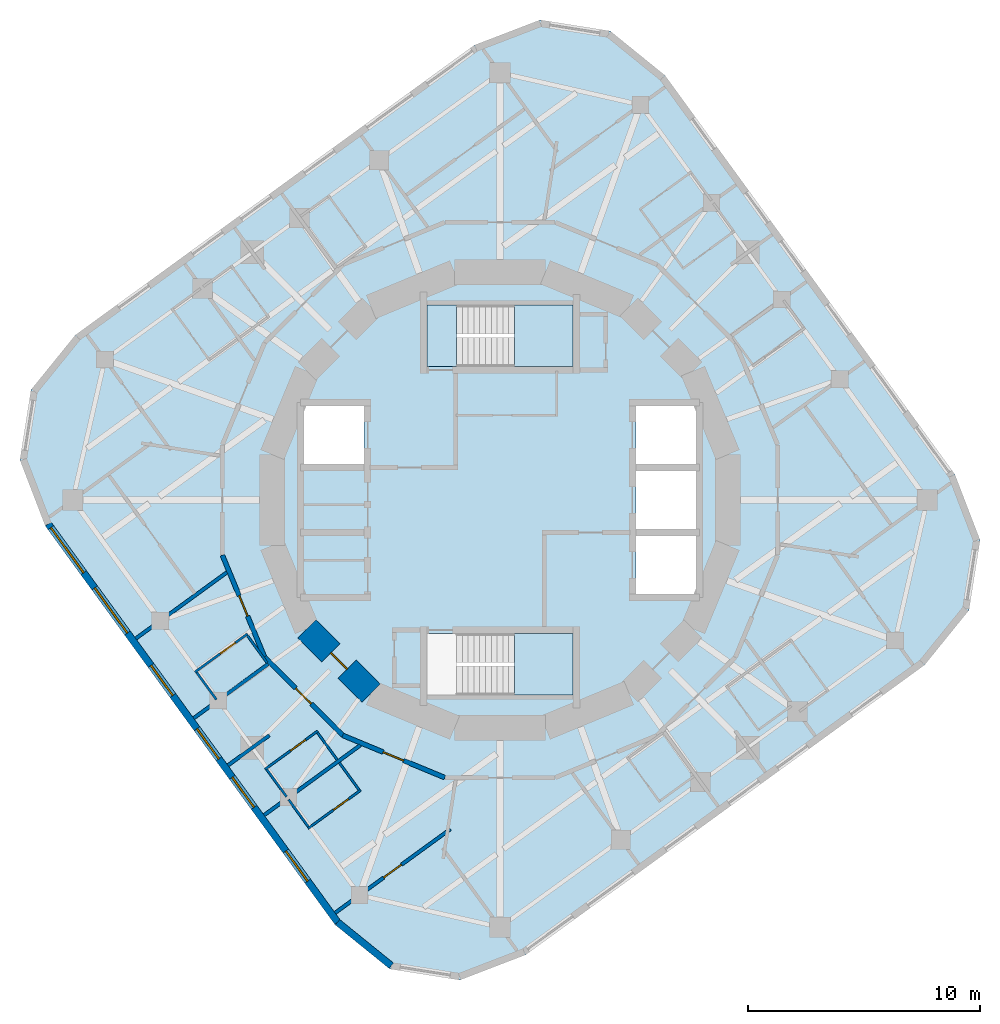
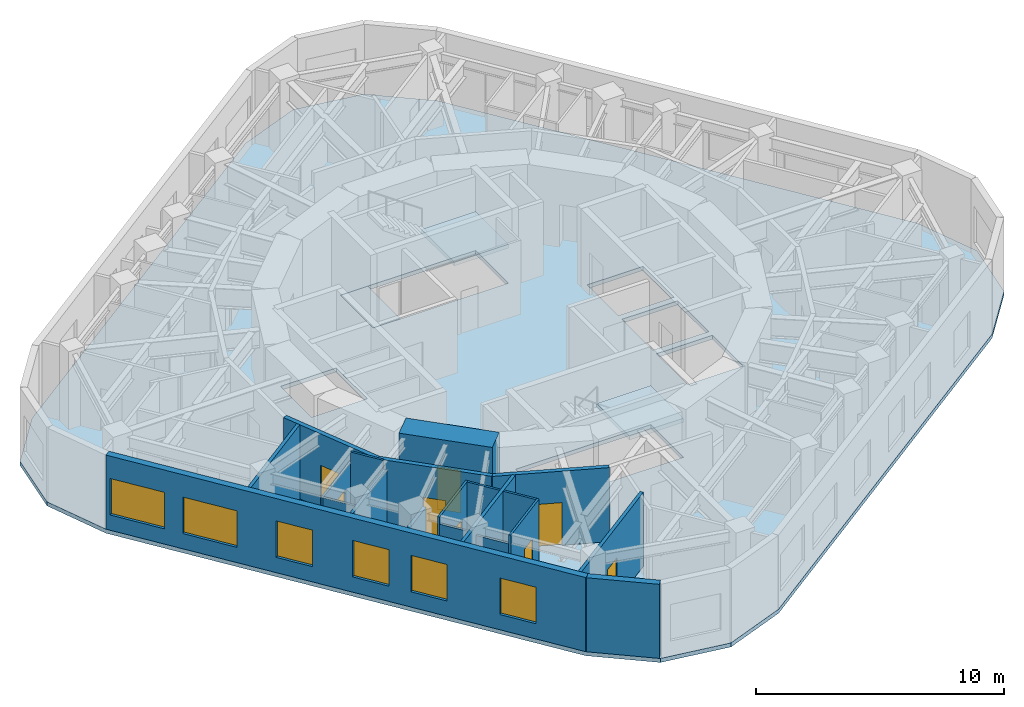
# One storey, part 3 of 9: 20 walls, 8 doors, 6 windows, 4 slabs, 14 openings, 2 elements without a shape of their own.
"""IFC4 building model written with IfcOpenShell, lengths in metres."""

from ifc_helpers import new_model, si_unit, direction, frame, frame_2d, origin, place, context, subcontext, project, spatial, polyline, rectangle, outline, extrude, material, layer, layer_set, type_object, element, fill, aggregate, save


model = new_model("IFC4")

# Units and contexts
model_context = context("Model", 3, precision=1e-05, world=origin(), true_north=direction((0.0, 1.0)))
body_context = subcontext(model_context, "Body", "Model", "MODEL_VIEW")
ifc_project = project(units=[si_unit("LENGTHUNIT", "METRE"), si_unit("AREAUNIT", "SQUARE_METRE"), si_unit("VOLUMEUNIT", "CUBIC_METRE"), si_unit("PLANEANGLEUNIT", "RADIAN"), si_unit("MASSUNIT", "GRAM", prefix="KILO")], contexts=[model_context])

# Site, building, storey
site_placement = place(None, origin())
site = spatial("IfcSite", under=ifc_project, at=site_placement, CompositionType="ELEMENT")
building_placement = place(site_placement, origin())
building = spatial("IfcBuilding", under=site, at=building_placement, Name="Nakasero Lantern House", CompositionType="ELEMENT")
storey_placement = place(building_placement, frame((0.0, 0.0, 294.550048828125)))
storey = spatial("IfcBuildingStorey", under=building, at=storey_placement, Name="L72", CompositionType="ELEMENT", Elevation=294.550048828125)

# Slab
ifc_material_1 = material(Name="Concrete C35/45", Category="concrete")
ifc_layer_1 = layer(ifc_material_1, 0.199951171875)
ifc_layer_set_1 = layer_set([ifc_layer_1], Name="Composite floor slab 200")
slab_type_1 = type_object("IfcSlabType", Name="Composite floor slab 200", PredefinedType="FLOOR", material=ifc_layer_set_1)
slab_1_placement = place(storey_placement, frame((0.0, 0.0, -0.199951171875)))
element("IfcSlab", 1, at=slab_1_placement, inside=storey, type_object=slab_type_1, Name="Floor slab L72", PredefinedType="FLOOR", context=body_context, shape_type="SweptSolid", body=[
    extrude(outline(polyline([(7.1181640625, 18.27392578125), (4.744873046875, 20.196044921875), (1.728271484375, 20.673828125), (-1.122802734375, 19.579345703125), (-18.27392578125, 7.1181640625), (-20.196044921875, 4.744873046875), (-20.673828125, 1.728271484375), (-19.579345703125, -1.122802734375), (-7.1181640625, -18.27392578125), (-4.744873046875, -20.196044921875), (-1.728271484375, -20.673828125), (1.122802734375, -19.579345703125), (18.27392578125, -7.1181640625), (20.196044921875, -4.744873046875), (20.673828125, -1.728271484375), (19.579345703125, 1.122802734375), (7.1181640625, 18.27392578125)]), holes=[polyline([(-8.449951171875, 1.550048828125), (-5.85009765625, 1.550048828125), (-5.85009765625, 4.050048828125), (-8.449951171875, 4.050048828125), (-8.449951171875, 1.550048828125)]), polyline([(5.85009765625, -4.050048828125), (8.449951171875, -4.050048828125), (8.449951171875, -1.550048828125), (5.85009765625, -1.550048828125), (5.85009765625, -4.050048828125)]), polyline([(5.85009765625, -1.25), (8.449951171875, -1.25), (8.449951171875, 1.25), (5.85009765625, 1.25), (5.85009765625, -1.25)]), polyline([(5.85009765625, 1.550048828125), (8.449951171875, 1.550048828125), (8.449951171875, 4.050048828125), (5.85009765625, 4.050048828125), (5.85009765625, 1.550048828125)]), polyline([(-3.14990234375, 5.75), (3.14990234375, 5.75), (3.14990234375, 8.39990234375), (-3.14990234375, 8.39990234375), (-3.14990234375, 5.75)]), polyline([(-3.14990234375, -8.39990234375), (3.14990234375, -8.39990234375), (3.14990234375, -5.75), (-3.14990234375, -5.75), (-3.14990234375, -8.39990234375)])]), origin(), (0.0, 0.0, 1.0), 0.199951171875),
])

# Stair, slabs
ifc_material_2 = material(Name="Concrete C40/50", Category="concrete")
stair_type_1 = type_object("IfcStairType", Name="Escape stair ST1 22 risers", PredefinedType="HALF_TURN_STAIR", material=ifc_material_2)
stair_1_placement = place(storey_placement, origin())
stair_1 = element("IfcStair", 2, at=stair_1_placement, inside=storey, type_object=stair_type_1, Name="Escape stair ST1 L72", PredefinedType="HALF_TURN_STAIR")
ifc_material_3 = material(Name="Concrete C40/50", Category="concrete")
ifc_layer_2 = layer(ifc_material_3, 0.199951171875)
ifc_layer_set_2 = layer_set([ifc_layer_2], Name="Stair landing 200")
slab_type_2 = type_object("IfcSlabType", Name="Stair landing 200", PredefinedType="LANDING", material=ifc_layer_set_2)
slab_2_placement = place(storey_placement, frame((0.0, 0.0, -0.199951171875)))
slab_2 = element("IfcSlab", 3, at=slab_2_placement, type_object=slab_type_2, Name="ST1 landing 1", PredefinedType="LANDING", context=body_context, shape_type="SweptSolid", body=[
    extrude(outline(polyline([(-3.14990234375, 5.75), (-1.875, 5.75), (-1.875, 8.39990234375), (-3.14990234375, 8.39990234375), (-3.14990234375, 5.75)])), origin(), (0.0, 0.0, 1.0), 0.199951171875),
])
slab_3_placement = place(storey_placement, frame((0.0, 0.0, 1.724853515625)))
slab_3 = element("IfcSlab", 4, at=slab_3_placement, type_object=slab_type_2, Name="ST1 landing 2", PredefinedType="LANDING", context=body_context, shape_type="SweptSolid", body=[
    extrude(outline(polyline([(0.625, 5.75), (3.14990234375, 5.75), (3.14990234375, 8.39990234375), (0.625, 8.39990234375), (0.625, 5.75)])), origin(), (0.0, 0.0, 1.0), 0.2001953125),
])
aggregate(stair_1, [slab_2, slab_3])

# Stair, slab
ifc_material_4 = material(Name="Concrete C40/50", Category="concrete")
stair_type_2 = type_object("IfcStairType", Name="Escape stair ST2 22 risers", PredefinedType="HALF_TURN_STAIR", material=ifc_material_4)
stair_2_placement = place(storey_placement, origin())
stair_2 = element("IfcStair", 5, at=stair_2_placement, inside=storey, type_object=stair_type_2, Name="Escape stair ST2 L72", PredefinedType="HALF_TURN_STAIR")
slab_4_placement = place(storey_placement, frame((0.0, 0.0, 1.724853515625)))
slab_4 = element("IfcSlab", 6, at=slab_4_placement, type_object=slab_type_2, Name="ST2 landing 2", PredefinedType="LANDING", context=body_context, shape_type="SweptSolid", body=[
    extrude(outline(polyline([(0.625, -8.39990234375), (3.14990234375, -8.39990234375), (3.14990234375, -5.75), (0.625, -5.75), (0.625, -8.39990234375)])), origin(), (0.0, 0.0, 1.0), 0.2001953125),
])
aggregate(stair_2, [slab_4])

# Wall, opening, door
ifc_material_5 = material(Name="Concrete C50/60", Category="concrete")
ifc_layer_3 = layer(ifc_material_5, 1.10009765625)
ifc_layer_set_3 = layer_set([ifc_layer_3], Name="Core wall 1100")
wall_type_1 = type_object("IfcWallType", Name="Core wall 1100", PredefinedType="SHEAR", material=ifc_layer_set_3)
wall_1_placement = place(storey_placement, frame((-8.314697265625, -5.5556640625, 0.0), z_axis=(0.0, 0.0, 1.0), x_axis=(0.707106781187, -0.707106781187, 0.0)))
wall_1 = element("IfcWall", 7, at=wall_1_placement, inside=storey, type_object=wall_type_1, Name="Core wall L72 facet 10", PredefinedType="SHEAR", context=body_context, shape_type="SweptSolid", body=[
    extrude(rectangle(XDim=3.90185546875, YDim=1.10009765625, at=frame_2d((1.950927734375, 0.0))), origin(), (0.0, 0.0, 1.0), 3.849853515625),
])
opening_1_placement = place(wall_1_placement, frame((1.450927734375, 0.0, 0.0)))
opening_1 = element("IfcOpeningElement", 8, at=opening_1_placement, cuts=wall_1, Name="Opening D05", PredefinedType="OPENING", context=body_context, shape_type="SweptSolid", body=[
    extrude(rectangle(XDim=1.0, YDim=2.10009765625, at=frame_2d((0.5, 1.050048828125))), frame((0.0, 0.570068359375, 0.0), z_axis=(0.0, -1.0, 0.0), x_axis=(1.0, 0.0, 0.0)), (0.0, 0.0, 1.0), 1.14013671875),
])
ifc_material_6 = material(Name="Timber C24", Category="wood")
door_type_1 = type_object("IfcDoorType", Name="Core door FD60S 1000", OperationType="SINGLE_SWING_LEFT", PredefinedType="DOOR", material=ifc_material_6)
door_1_placement = place(opening_1_placement, origin())
door_1 = element("IfcDoor", 9, at=door_1_placement, inside=storey, type_object=door_type_1, Name="Door L72 D-CORE10", OperationType="SINGLE_SWING_LEFT", OverallHeight=2.10009765625, OverallWidth=1.0, PredefinedType="DOOR", context=body_context, shape_type="SweptSolid", body=[
    extrude(rectangle(XDim=1.0, YDim=2.10009765625, at=frame_2d((0.5, 1.050048828125))), frame((0.0, 0.02490234375, 0.0), z_axis=(0.0, -1.0, 0.0), x_axis=(1.0, 0.0, 0.0)), (0.0, 0.0, 1.0), 0.050048828125),
])
fill(opening_1, door_1)

ifc_material_7 = material(Name="Blockwork", Category="masonry")
ifc_layer_4 = layer(ifc_material_7, 0.199951171875)
ifc_layer_set_4 = layer_set([ifc_layer_4], Name="Corridor wall 200")
wall_type_2 = type_object("IfcWallType", Name="Corridor wall 200", PredefinedType="PARTITIONING", material=ifc_layer_set_4)
wall_2_placement = place(storey_placement, frame((-2.378662109375, -11.957763671875, 0.0), z_axis=(0.0, 0.0, 1.0), x_axis=(-0.923891735412, 0.382653970627, 0.0)))
wall_2 = element("IfcWall", 10, at=wall_2_placement, inside=storey, type_object=wall_type_2, Name="Corridor wall L72 RC05a", PredefinedType="PARTITIONING", context=body_context, shape_type="SweptSolid", body=[
    extrude(rectangle(XDim=4.757080078125, YDim=0.199951171875, at=frame_2d((2.37841796875, 0.0))), origin(), (0.0, 0.0, 1.0), 3.64990234375),
])
opening_2_placement = place(wall_2_placement, frame((1.919921875, 0.0, 0.0)))
opening_2 = element("IfcOpeningElement", 11, at=opening_2_placement, cuts=wall_2, Name="Opening D01", PredefinedType="OPENING", context=body_context, shape_type="SweptSolid", body=[
    extrude(rectangle(XDim=0.949951171875, YDim=2.10009765625, at=frame_2d((0.47509765625, 1.050048828125))), frame((0.0, 0.119873046875, 0.0), z_axis=(0.0, -1.0, 0.0), x_axis=(1.0, 0.0, 0.0)), (0.0, 0.0, 1.0), 0.239990234375),
])
ifc_material_8 = material(Name="Timber C24", Category="wood")
door_type_2 = type_object("IfcDoorType", Name="Bedroom door FD30S 950", OperationType="SINGLE_SWING_LEFT", PredefinedType="DOOR", material=ifc_material_8)
door_2_placement = place(opening_2_placement, origin())
door_2 = element("IfcDoor", 12, at=door_2_placement, inside=storey, type_object=door_type_2, Name="Door L72 D2-06", OperationType="SINGLE_SWING_RIGHT", OverallHeight=2.10009765625, OverallWidth=0.949951171875, PredefinedType="DOOR", context=body_context, shape_type="SweptSolid", body=[
    extrude(rectangle(XDim=0.949951171875, YDim=2.10009765625, at=frame_2d((0.47509765625, 1.050048828125))), frame((0.0, 0.02490234375, 0.0), z_axis=(0.0, -1.0, 0.0), x_axis=(1.0, 0.0, 0.0)), (0.0, 0.0, 1.0), 0.050048828125),
])
fill(opening_2, door_2)

wall_3_placement = place(storey_placement, frame((-6.773681640625, -10.137451171875, 0.0), z_axis=(0.0, 0.0, 1.0), x_axis=(-0.707106781187, 0.707106781187, 0.0)))
wall_3 = element("IfcWall", 13, at=wall_3_placement, inside=storey, type_object=wall_type_2, Name="Corridor wall L72 RC06a", PredefinedType="PARTITIONING", context=body_context, shape_type="SweptSolid", body=[
    extrude(rectangle(XDim=4.757080078125, YDim=0.199951171875, at=frame_2d((2.37841796875, 0.0))), origin(), (0.0, 0.0, 1.0), 3.64990234375),
])
opening_3_placement = place(wall_3_placement, frame((1.919921875, 0.0, 0.0)))
opening_3 = element("IfcOpeningElement", 14, at=opening_3_placement, cuts=wall_3, Name="Opening D01", PredefinedType="OPENING", context=body_context, shape_type="SweptSolid", body=[
    extrude(rectangle(XDim=0.949951171875, YDim=2.10009765625, at=frame_2d((0.47509765625, 1.050048828125))), frame((0.0, 0.119873046875, 0.0), z_axis=(0.0, -1.0, 0.0), x_axis=(1.0, 0.0, 0.0)), (0.0, 0.0, 1.0), 0.239990234375),
])
door_3_placement = place(opening_3_placement, origin())
door_3 = element("IfcDoor", 15, at=door_3_placement, inside=storey, type_object=door_type_2, Name="Door L72 D2-04", OperationType="SINGLE_SWING_RIGHT", OverallHeight=2.10009765625, OverallWidth=0.949951171875, PredefinedType="DOOR", context=body_context, shape_type="SweptSolid", body=[
    extrude(rectangle(XDim=0.949951171875, YDim=2.10009765625, at=frame_2d((0.47509765625, 1.050048828125))), frame((0.0, 0.02490234375, 0.0), z_axis=(0.0, -1.0, 0.0), x_axis=(1.0, 0.0, 0.0)), (0.0, 0.0, 1.0), 0.050048828125),
])
fill(opening_3, door_3)

wall_4_placement = place(storey_placement, frame((-10.137451171875, -6.773681640625, 0.0), z_axis=(0.0, 0.0, 1.0), x_axis=(-0.382653970627, 0.923891735412, 0.0)))
wall_4 = element("IfcWall", 16, at=wall_4_placement, inside=storey, type_object=wall_type_2, Name="Corridor wall L72 RC07a", PredefinedType="PARTITIONING", context=body_context, shape_type="SweptSolid", body=[
    extrude(rectangle(XDim=4.757080078125, YDim=0.199951171875, at=frame_2d((2.37841796875, 0.0))), origin(), (0.0, 0.0, 1.0), 3.64990234375),
])
opening_4_placement = place(wall_4_placement, frame((1.919921875, 0.0, 0.0)))
opening_4 = element("IfcOpeningElement", 17, at=opening_4_placement, cuts=wall_4, Name="Opening D01", PredefinedType="OPENING", context=body_context, shape_type="SweptSolid", body=[
    extrude(rectangle(XDim=0.949951171875, YDim=2.10009765625, at=frame_2d((0.47509765625, 1.050048828125))), frame((0.0, 0.119873046875, 0.0), z_axis=(0.0, -1.0, 0.0), x_axis=(1.0, 0.0, 0.0)), (0.0, 0.0, 1.0), 0.239990234375),
])
door_4_placement = place(opening_4_placement, origin())
door_4 = element("IfcDoor", 18, at=door_4_placement, inside=storey, type_object=door_type_2, Name="Door L72 D2-03", OperationType="SINGLE_SWING_RIGHT", OverallHeight=2.10009765625, OverallWidth=0.949951171875, PredefinedType="DOOR", context=body_context, shape_type="SweptSolid", body=[
    extrude(rectangle(XDim=0.949951171875, YDim=2.10009765625, at=frame_2d((0.47509765625, 1.050048828125))), frame((0.0, 0.02490234375, 0.0), z_axis=(0.0, -1.0, 0.0), x_axis=(1.0, 0.0, 0.0)), (0.0, 0.0, 1.0), 0.050048828125),
])
fill(opening_4, door_4)

ifc_material_9 = material(Name="Blockwork", Category="masonry")
ifc_layer_5 = layer(ifc_material_9, 0.10009765625)
ifc_layer_set_5 = layer_set([ifc_layer_5], Name="En-suite wall 100")
wall_type_3 = type_object("IfcWallType", Name="En-suite wall 100", PredefinedType="PARTITIONING", material=ifc_layer_set_5)
wall_5_placement = place(storey_placement, frame((-10.872314453125, -5.76513671875, 0.0), z_axis=(0.0, 0.0, 1.0), x_axis=(-0.809041377956, -0.587751689708, 0.0)))
wall_5 = element("IfcWall", 19, at=wall_5_placement, inside=storey, type_object=wall_type_3, Name="En-suite wall L72 ES2-03", PredefinedType="PARTITIONING", context=body_context, shape_type="SweptSolid", body=[
    extrude(rectangle(XDim=2.800048828125, YDim=0.10009765625, at=frame_2d((1.39990234375, 0.0))), origin(), (0.0, 0.0, 1.0), 3.11328125),
])
opening_5_placement = place(wall_5_placement, frame((0.64990234375, 0.0, 0.0)))
opening_5 = element("IfcOpeningElement", 20, at=opening_5_placement, cuts=wall_5, Name="Opening D02", PredefinedType="OPENING", context=body_context, shape_type="SweptSolid", body=[
    extrude(rectangle(XDim=0.800048828125, YDim=2.10009765625, at=frame_2d((0.39990234375, 1.050048828125))), frame((0.0, 0.070068359375, 0.0), z_axis=(0.0, -1.0, 0.0), x_axis=(1.0, 0.0, 0.0)), (0.0, 0.0, 1.0), 0.14013671875),
])
ifc_material_10 = material(Name="Timber C24", Category="wood")
door_type_3 = type_object("IfcDoorType", Name="En-suite door 800", OperationType="SINGLE_SWING_RIGHT", PredefinedType="DOOR", material=ifc_material_10)
door_5_placement = place(opening_5_placement, origin())
door_5 = element("IfcDoor", 21, at=door_5_placement, inside=storey, type_object=door_type_3, Name="Door L72 DE2-03", OperationType="SINGLE_SWING_LEFT", OverallHeight=2.10009765625, OverallWidth=0.800048828125, PredefinedType="DOOR", context=body_context, shape_type="SweptSolid", body=[
    extrude(rectangle(XDim=0.800048828125, YDim=2.10009765625, at=frame_2d((0.39990234375, 1.050048828125))), frame((0.0, 0.02490234375, 0.0), z_axis=(0.0, -1.0, 0.0), x_axis=(1.0, 0.0, 0.0)), (0.0, 0.0, 1.0), 0.050048828125),
])
fill(opening_5, door_5)

# Walls
wall_6_placement = place(storey_placement, frame((-13.06787109375, -7.421875, 0.0), z_axis=(0.0, 0.0, 1.0), x_axis=(0.587781191743, -0.809019944521, 0.0)))
element("IfcWall", 22, at=wall_6_placement, inside=storey, type_object=wall_type_3, Name="En-suite wall L72 EE2-03", PredefinedType="PARTITIONING", context=body_context, shape_type="SweptSolid", body=[
    extrude(rectangle(XDim=1.449951171875, YDim=0.10009765625, at=frame_2d((0.72509765625, 0.0))), origin(), (0.0, 0.0, 1.0), 3.11328125),
])
wall_7_placement = place(storey_placement, frame((-10.883544921875, -5.8349609375, 0.0), z_axis=(0.0, 0.0, 1.0), x_axis=(0.587781191743, -0.809019944521, 0.0)))
element("IfcWall", 23, at=wall_7_placement, inside=storey, type_object=wall_type_3, Name="En-suite wall L72 EI2-03", PredefinedType="PARTITIONING", context=body_context, shape_type="SweptSolid", body=[
    extrude(rectangle(XDim=1.449951171875, YDim=0.10009765625, at=frame_2d((0.72509765625, 0.0))), origin(), (0.0, 0.0, 1.0), 3.64990234375),
])

# Wall, opening, door
wall_8_placement = place(storey_placement, frame((-7.851318359375, -9.949462890625, 0.0), z_axis=(0.0, 0.0, 1.0), x_axis=(-0.809011254605, -0.587793152327, 0.0)))
wall_8 = element("IfcWall", 24, at=wall_8_placement, inside=storey, type_object=wall_type_3, Name="En-suite wall L72 ES2-04", PredefinedType="PARTITIONING", context=body_context, shape_type="SweptSolid", body=[
    extrude(rectangle(XDim=2.7998046875, YDim=0.10009765625, at=frame_2d((1.39990234375, 0.0))), origin(), (0.0, 0.0, 1.0), 3.64990234375),
])
opening_6_placement = place(wall_8_placement, frame((0.64990234375, 0.0, 0.0)))
opening_6 = element("IfcOpeningElement", 25, at=opening_6_placement, cuts=wall_8, Name="Opening D02", PredefinedType="OPENING", context=body_context, shape_type="SweptSolid", body=[
    extrude(rectangle(XDim=0.800048828125, YDim=2.10009765625, at=frame_2d((0.39990234375, 1.050048828125))), frame((0.0, 0.070068359375, 0.0), z_axis=(0.0, -1.0, 0.0), x_axis=(1.0, 0.0, 0.0)), (0.0, 0.0, 1.0), 0.14013671875),
])
door_6_placement = place(opening_6_placement, origin())
door_6 = element("IfcDoor", 26, at=door_6_placement, inside=storey, type_object=door_type_3, Name="Door L72 DE2-04", OperationType="SINGLE_SWING_LEFT", OverallHeight=2.10009765625, OverallWidth=0.800048828125, PredefinedType="DOOR", context=body_context, shape_type="SweptSolid", body=[
    extrude(rectangle(XDim=0.800048828125, YDim=2.10009765625, at=frame_2d((0.39990234375, 1.050048828125))), frame((0.0, 0.02490234375, 0.0), z_axis=(0.0, -1.0, 0.0), x_axis=(1.0, 0.0, 0.0)), (0.0, 0.0, 1.0), 0.050048828125),
])
fill(opening_6, door_6)

# Walls
wall_9_placement = place(storey_placement, frame((-10.046630859375, -11.6064453125, 0.0), z_axis=(0.0, 0.0, 1.0), x_axis=(0.587781191743, -0.809019944521, 0.0)))
element("IfcWall", 27, at=wall_9_placement, inside=storey, type_object=wall_type_3, Name="En-suite wall L72 EE2-04", PredefinedType="PARTITIONING", context=body_context, shape_type="SweptSolid", body=[
    extrude(rectangle(XDim=1.449951171875, YDim=0.10009765625, at=frame_2d((0.72509765625, 0.0))), origin(), (0.0, 0.0, 1.0), 3.294921875),
])
wall_10_placement = place(storey_placement, frame((-7.8623046875, -10.019287109375, 0.0), z_axis=(0.0, 0.0, 1.0), x_axis=(0.587781191743, -0.809019944521, 0.0)))
element("IfcWall", 28, at=wall_10_placement, inside=storey, type_object=wall_type_3, Name="En-suite wall L72 EI2-04", PredefinedType="PARTITIONING", context=body_context, shape_type="SweptSolid", body=[
    extrude(rectangle(XDim=1.449951171875, YDim=0.10009765625, at=frame_2d((0.72509765625, 0.0))), origin(), (0.0, 0.0, 1.0), 3.64990234375),
])

# Wall, opening, door
wall_11_placement = place(storey_placement, frame((-5.999755859375, -12.498046875, 0.0), z_axis=(0.0, 0.0, 1.0), x_axis=(-0.809011254605, -0.587793152327, 0.0)))
wall_11 = element("IfcWall", 29, at=wall_11_placement, inside=storey, type_object=wall_type_3, Name="En-suite wall L72 ES2-06", PredefinedType="PARTITIONING", context=body_context, shape_type="SweptSolid", body=[
    extrude(rectangle(XDim=2.7998046875, YDim=0.10009765625, at=frame_2d((1.39990234375, 0.0))), origin(), (0.0, 0.0, 1.0), 3.64990234375),
])
opening_7_placement = place(wall_11_placement, frame((0.64990234375, 0.0, 0.0)))
opening_7 = element("IfcOpeningElement", 30, at=opening_7_placement, cuts=wall_11, Name="Opening D02", PredefinedType="OPENING", context=body_context, shape_type="SweptSolid", body=[
    extrude(rectangle(XDim=0.800048828125, YDim=2.10009765625, at=frame_2d((0.39990234375, 1.050048828125))), frame((0.0, 0.070068359375, 0.0), z_axis=(0.0, -1.0, 0.0), x_axis=(1.0, 0.0, 0.0)), (0.0, 0.0, 1.0), 0.14013671875),
])
door_7_placement = place(opening_7_placement, origin())
door_7 = element("IfcDoor", 31, at=door_7_placement, inside=storey, type_object=door_type_3, Name="Door L72 DE2-06", OperationType="SINGLE_SWING_LEFT", OverallHeight=2.10009765625, OverallWidth=0.800048828125, PredefinedType="DOOR", context=body_context, shape_type="SweptSolid", body=[
    extrude(rectangle(XDim=0.800048828125, YDim=2.10009765625, at=frame_2d((0.39990234375, 1.050048828125))), frame((0.0, 0.02490234375, 0.0), z_axis=(0.0, -1.0, 0.0), x_axis=(1.0, 0.0, 0.0)), (0.0, 0.0, 1.0), 0.050048828125),
])
fill(opening_7, door_7)

# Walls
wall_12_placement = place(storey_placement, frame((-9.106201171875, -12.90087890625, 0.0), z_axis=(0.0, 0.0, 1.0), x_axis=(0.587781191743, -0.809019944521, 0.0)))
element("IfcWall", 32, at=wall_12_placement, inside=storey, type_object=wall_type_3, Name="En-suite wall L72 EE2-06", PredefinedType="PARTITIONING", context=body_context, shape_type="SweptSolid", body=[
    extrude(rectangle(XDim=1.449951171875, YDim=0.10009765625, at=frame_2d((0.72509765625, 0.0))), origin(), (0.0, 0.0, 1.0), 3.196533203125),
])
wall_13_placement = place(storey_placement, frame((-6.921875, -11.313720703125, 0.0), z_axis=(0.0, 0.0, 1.0), x_axis=(0.587781191743, -0.809019944521, 0.0)))
element("IfcWall", 33, at=wall_13_placement, inside=storey, type_object=wall_type_3, Name="En-suite wall L72 EI2-06", PredefinedType="PARTITIONING", context=body_context, shape_type="SweptSolid", body=[
    extrude(rectangle(XDim=1.449951171875, YDim=0.10009765625, at=frame_2d((0.72509765625, 0.0))), origin(), (0.0, 0.0, 1.0), 3.64990234375),
])

# Wall, openings, windows
ifc_material_11 = material(Name="Aluminium rainscreen on blockwork", Category="masonry")
ifc_layer_6 = layer(ifc_material_11, 0.300048828125)
ifc_layer_set_6 = layer_set([ifc_layer_6], Name="Facade wall 300")
wall_type_4 = type_object("IfcWallType", Name="Facade wall 300", PredefinedType="SOLIDWALL", material=ifc_layer_set_6)
wall_14_placement = place(storey_placement, frame((-19.4580078125, -1.03466796875, 0.0), z_axis=(0.0, 0.0, 1.0), x_axis=(0.587790233451, -0.809013375328, 0.0)))
wall_14 = element("IfcWall", 34, at=wall_14_placement, inside=storey, type_object=wall_type_4, Name="Facade wall L72 FW2S", PredefinedType="SOLIDWALL", context=body_context, shape_type="SweptSolid", body=[
    extrude(rectangle(XDim=21.199951171875, YDim=0.300048828125, at=frame_2d((10.60009765625, 0.0))), origin(), (0.0, 0.0, 1.0), 3.64990234375),
])
opening_8_placement = place(wall_14_placement, frame((7.52783203125, 0.0, 0.75)))
opening_8 = element("IfcOpeningElement", 35, at=opening_8_placement, cuts=wall_14, Name="Opening W01", PredefinedType="OPENING", context=body_context, shape_type="SweptSolid", body=[
    extrude(rectangle(XDim=1.60009765625, YDim=1.800048828125, at=frame_2d((0.800048828125, 0.89990234375))), frame((0.0, 0.169921875, 0.0), z_axis=(0.0, -1.0, 0.0), x_axis=(1.0, 0.0, 0.0)), (0.0, 0.0, 1.0), 0.340087890625),
])
opening_9_placement = place(wall_14_placement, frame((10.904052734375, 0.0, 0.75)))
opening_9 = element("IfcOpeningElement", 36, at=opening_9_placement, cuts=wall_14, Name="Opening W01", PredefinedType="OPENING", context=body_context, shape_type="SweptSolid", body=[
    extrude(rectangle(XDim=1.60009765625, YDim=1.800048828125, at=frame_2d((0.800048828125, 0.89990234375))), frame((0.0, 0.169921875, 0.0), z_axis=(0.0, -1.0, 0.0), x_axis=(1.0, 0.0, 0.0)), (0.0, 0.0, 1.0), 0.340087890625),
])
opening_10_placement = place(wall_14_placement, frame((13.484619140625, 0.0, 0.75)))
opening_10 = element("IfcOpeningElement", 37, at=opening_10_placement, cuts=wall_14, Name="Opening W01", PredefinedType="OPENING", context=body_context, shape_type="SweptSolid", body=[
    extrude(rectangle(XDim=1.60009765625, YDim=1.800048828125, at=frame_2d((0.800048828125, 0.89990234375))), frame((0.0, 0.169921875, 0.0), z_axis=(0.0, -1.0, 0.0), x_axis=(1.0, 0.0, 0.0)), (0.0, 0.0, 1.0), 0.340087890625),
])
opening_11_placement = place(wall_14_placement, frame((17.410888671875, 0.0, 0.75)))
opening_11 = element("IfcOpeningElement", 38, at=opening_11_placement, cuts=wall_14, Name="Opening W01", PredefinedType="OPENING", context=body_context, shape_type="SweptSolid", body=[
    extrude(rectangle(XDim=1.60009765625, YDim=1.800048828125, at=frame_2d((0.800048828125, 0.89990234375))), frame((0.0, 0.169921875, 0.0), z_axis=(0.0, -1.0, 0.0), x_axis=(1.0, 0.0, 0.0)), (0.0, 0.0, 1.0), 0.340087890625),
])
opening_12_placement = place(wall_14_placement, frame((0.1904296875, 0.0, 0.75)))
opening_12 = element("IfcOpeningElement", 39, at=opening_12_placement, cuts=wall_14, Name="Opening W03", PredefinedType="OPENING", context=body_context, shape_type="SweptSolid", body=[
    extrude(rectangle(XDim=2.39990234375, YDim=1.800048828125, at=frame_2d((1.199951171875, 0.89990234375))), frame((0.0, 0.169921875, 0.0), z_axis=(0.0, -1.0, 0.0), x_axis=(1.0, 0.0, 0.0)), (0.0, 0.0, 1.0), 0.340087890625),
])
opening_13_placement = place(wall_14_placement, frame((3.401611328125, 0.0, 0.75)))
opening_13 = element("IfcOpeningElement", 40, at=opening_13_placement, cuts=wall_14, Name="Opening W03", PredefinedType="OPENING", context=body_context, shape_type="SweptSolid", body=[
    extrude(rectangle(XDim=2.39990234375, YDim=1.800048828125, at=frame_2d((1.199951171875, 0.89990234375))), frame((0.0, 0.169921875, 0.0), z_axis=(0.0, -1.0, 0.0), x_axis=(1.0, 0.0, 0.0)), (0.0, 0.0, 1.0), 0.340087890625),
])
ifc_material_12 = material(Name="Aluminium 6063-T6 and glass", Category="aluminium")
window_type_1 = type_object("IfcWindowType", Name="Bedroom window 1600x1800", PartitioningType="SINGLE_PANEL", PredefinedType="WINDOW", material=ifc_material_12)
window_1_placement = place(opening_8_placement, origin())
window_1 = element("IfcWindow", 41, at=window_1_placement, inside=storey, type_object=window_type_1, Name="Window L72 WN2-03", OverallHeight=1.800048828125, OverallWidth=1.60009765625, PartitioningType="SINGLE_PANEL", PredefinedType="WINDOW", context=body_context, shape_type="SweptSolid", body=[
    extrude(rectangle(XDim=1.60009765625, YDim=1.800048828125, at=frame_2d((0.800048828125, 0.89990234375))), frame((0.0, 0.030029296875, 0.0), z_axis=(0.0, -1.0, 0.0), x_axis=(1.0, 0.0, 0.0)), (0.0, 0.0, 1.0), 0.06005859375),
])
fill(opening_8, window_1)
window_2_placement = place(opening_9_placement, origin())
window_2 = element("IfcWindow", 42, at=window_2_placement, inside=storey, type_object=window_type_1, Name="Window L72 WN2-04", OverallHeight=1.800048828125, OverallWidth=1.60009765625, PartitioningType="SINGLE_PANEL", PredefinedType="WINDOW", context=body_context, shape_type="SweptSolid", body=[
    extrude(rectangle(XDim=1.60009765625, YDim=1.800048828125, at=frame_2d((0.800048828125, 0.89990234375))), frame((0.0, 0.030029296875, 0.0), z_axis=(0.0, -1.0, 0.0), x_axis=(1.0, 0.0, 0.0)), (0.0, 0.0, 1.0), 0.06005859375),
])
fill(opening_9, window_2)
window_3_placement = place(opening_10_placement, origin())
window_3 = element("IfcWindow", 43, at=window_3_placement, inside=storey, type_object=window_type_1, Name="Window L72 WN2-05", OverallHeight=1.800048828125, OverallWidth=1.60009765625, PartitioningType="SINGLE_PANEL", PredefinedType="WINDOW", context=body_context, shape_type="SweptSolid", body=[
    extrude(rectangle(XDim=1.60009765625, YDim=1.800048828125, at=frame_2d((0.800048828125, 0.89990234375))), frame((0.0, 0.030029296875, 0.0), z_axis=(0.0, -1.0, 0.0), x_axis=(1.0, 0.0, 0.0)), (0.0, 0.0, 1.0), 0.06005859375),
])
fill(opening_10, window_3)
window_4_placement = place(opening_11_placement, origin())
window_4 = element("IfcWindow", 44, at=window_4_placement, inside=storey, type_object=window_type_1, Name="Window L72 WN2-06", OverallHeight=1.800048828125, OverallWidth=1.60009765625, PartitioningType="SINGLE_PANEL", PredefinedType="WINDOW", context=body_context, shape_type="SweptSolid", body=[
    extrude(rectangle(XDim=1.60009765625, YDim=1.800048828125, at=frame_2d((0.800048828125, 0.89990234375))), frame((0.0, 0.030029296875, 0.0), z_axis=(0.0, -1.0, 0.0), x_axis=(1.0, 0.0, 0.0)), (0.0, 0.0, 1.0), 0.06005859375),
])
fill(opening_11, window_4)
ifc_material_13 = material(Name="Aluminium 6063-T6 and glass", Category="aluminium")
window_type_2 = type_object("IfcWindowType", Name="Lounge window 2400x1800", PartitioningType="SINGLE_PANEL", PredefinedType="WINDOW", material=ifc_material_13)
window_5_placement = place(opening_12_placement, origin())
window_5 = element("IfcWindow", 45, at=window_5_placement, inside=storey, type_object=window_type_2, Name="Window L72 WK2", OverallHeight=1.800048828125, OverallWidth=2.39990234375, PartitioningType="SINGLE_PANEL", PredefinedType="WINDOW", context=body_context, shape_type="SweptSolid", body=[
    extrude(rectangle(XDim=2.39990234375, YDim=1.800048828125, at=frame_2d((1.199951171875, 0.89990234375))), frame((0.0, 0.030029296875, 0.0), z_axis=(0.0, -1.0, 0.0), x_axis=(1.0, 0.0, 0.0)), (0.0, 0.0, 1.0), 0.06005859375),
])
fill(opening_12, window_5)
window_6_placement = place(opening_13_placement, origin())
window_6 = element("IfcWindow", 46, at=window_6_placement, inside=storey, type_object=window_type_2, Name="Window L72 WL2", OverallHeight=1.800048828125, OverallWidth=2.39990234375, PartitioningType="SINGLE_PANEL", PredefinedType="WINDOW", context=body_context, shape_type="SweptSolid", body=[
    extrude(rectangle(XDim=2.39990234375, YDim=1.800048828125, at=frame_2d((1.199951171875, 0.89990234375))), frame((0.0, 0.030029296875, 0.0), z_axis=(0.0, -1.0, 0.0), x_axis=(1.0, 0.0, 0.0)), (0.0, 0.0, 1.0), 0.06005859375),
])
fill(opening_13, window_6)

# Walls
wall_15_placement = place(storey_placement, frame((-6.996826171875, -18.185791015625, 0.0), z_axis=(0.0, 0.0, 1.0), x_axis=(0.777101588319, -0.629375183362, 0.0)))
element("IfcWall", 47, at=wall_15_placement, inside=storey, type_object=wall_type_4, Name="Facade wall L72 FW2C1", PredefinedType="SOLIDWALL", context=body_context, shape_type="SweptSolid", body=[
    extrude(rectangle(XDim=2.976318359375, YDim=0.300048828125, at=frame_2d((1.48828125, 0.0))), origin(), (0.0, 0.0, 1.0), 3.64990234375),
])
ifc_material_14 = material(Name="Blockwork", Category="masonry")
ifc_layer_7 = layer(ifc_material_14, 0.14990234375)
ifc_layer_set_7 = layer_set([ifc_layer_7], Name="Party wall 150")
wall_type_5 = type_object("IfcWallType", Name="Party wall 150", PredefinedType="PARTITIONING", material=ifc_layer_set_7)
wall_16_placement = place(storey_placement, frame((-9.939208984375, -10.13818359375, 0.0), z_axis=(0.0, 0.0, 1.0), x_axis=(-0.808990345923, -0.587821928992, 0.0)))
element("IfcWall", 48, at=wall_16_placement, inside=storey, type_object=wall_type_5, Name="Party wall L72 PN2-05", PredefinedType="PARTITIONING", context=body_context, shape_type="SweptSolid", body=[
    extrude(rectangle(XDim=2.199951171875, YDim=0.14990234375, at=frame_2d((1.10009765625, 0.0))), origin(), (0.0, 0.0, 1.0), 3.18994140625),
])
wall_17_placement = place(storey_placement, frame((-11.760986328125, -3.114990234375, 0.0), z_axis=(0.0, 0.0, 1.0), x_axis=(-0.809020895183, -0.587779883253, 0.0)))
element("IfcWall", 49, at=wall_17_placement, inside=storey, type_object=wall_type_5, Name="Party wall L72 PW2-03", PredefinedType="PARTITIONING", context=body_context, shape_type="SweptSolid", body=[
    extrude(rectangle(XDim=4.854248046875, YDim=0.14990234375, at=frame_2d((2.42724609375, 0.0))), origin(), (0.0, 0.0, 1.0), 3.64990234375),
])
wall_18_placement = place(storey_placement, frame((-9.985107421875, -7.067138671875, 0.0), z_axis=(0.0, 0.0, 1.0), x_axis=(-0.809004739075, -0.587802119896, 0.0)))
element("IfcWall", 50, at=wall_18_placement, inside=storey, type_object=wall_type_5, Name="Party wall L72 PW2-04", PredefinedType="PARTITIONING", context=body_context, shape_type="SweptSolid", body=[
    extrude(rectangle(XDim=3.9677734375, YDim=0.14990234375, at=frame_2d((1.98388671875, 0.0))), origin(), (0.0, 0.0, 1.0), 3.18994140625),
])
wall_19_placement = place(storey_placement, frame((-6.012939453125, -10.560791015625, 0.0), z_axis=(0.0, 0.0, 1.0), x_axis=(-0.809020100005, -0.587780977736, 0.0)))
element("IfcWall", 51, at=wall_19_placement, inside=storey, type_object=wall_type_5, Name="Party wall L72 PW2-06", PredefinedType="PARTITIONING", context=body_context, shape_type="SweptSolid", body=[
    extrude(rectangle(XDim=5.1279296875, YDim=0.14990234375, at=frame_2d((2.56396484375, 0.0))), origin(), (0.0, 0.0, 1.0), 3.64990234375),
])

# Wall, opening, door
wall_20_placement = place(storey_placement, frame((-2.137939453125, -14.1767578125, 0.0), z_axis=(0.0, 0.0, 1.0), x_axis=(-0.809024975628, -0.587774266883, 0.0)))
wall_20 = element("IfcWall", 52, at=wall_20_placement, inside=storey, type_object=wall_type_5, Name="Party wall L72 PW2-07", PredefinedType="PARTITIONING", context=body_context, shape_type="SweptSolid", body=[
    extrude(rectangle(XDim=6.137451171875, YDim=0.14990234375, at=frame_2d((3.06884765625, 0.0))), origin(), (0.0, 0.0, 1.0), 3.64990234375),
])
opening_14_placement = place(wall_20_placement, frame((2.60009765625, 0.0, 0.0)))
opening_14 = element("IfcOpeningElement", 53, at=opening_14_placement, cuts=wall_20, Name="Opening D01", PredefinedType="OPENING", context=body_context, shape_type="SweptSolid", body=[
    extrude(rectangle(XDim=0.949951171875, YDim=2.10009765625, at=frame_2d((0.47509765625, 1.050048828125))), frame((0.0, 0.094970703125, 0.0), z_axis=(0.0, -1.0, 0.0), x_axis=(1.0, 0.0, 0.0)), (0.0, 0.0, 1.0), 0.18994140625),
])
door_8_placement = place(opening_14_placement, origin())
door_8 = element("IfcDoor", 54, at=door_8_placement, inside=storey, type_object=door_type_2, Name="Door L72 DC2", OperationType="SINGLE_SWING_RIGHT", OverallHeight=2.10009765625, OverallWidth=0.949951171875, PredefinedType="DOOR", context=body_context, shape_type="SweptSolid", body=[
    extrude(rectangle(XDim=0.949951171875, YDim=2.10009765625, at=frame_2d((0.47509765625, 1.050048828125))), frame((0.0, 0.02490234375, 0.0), z_axis=(0.0, -1.0, 0.0), x_axis=(1.0, 0.0, 0.0)), (0.0, 0.0, 1.0), 0.050048828125),
])
fill(opening_14, door_8)

save(model, "model.ifc")
